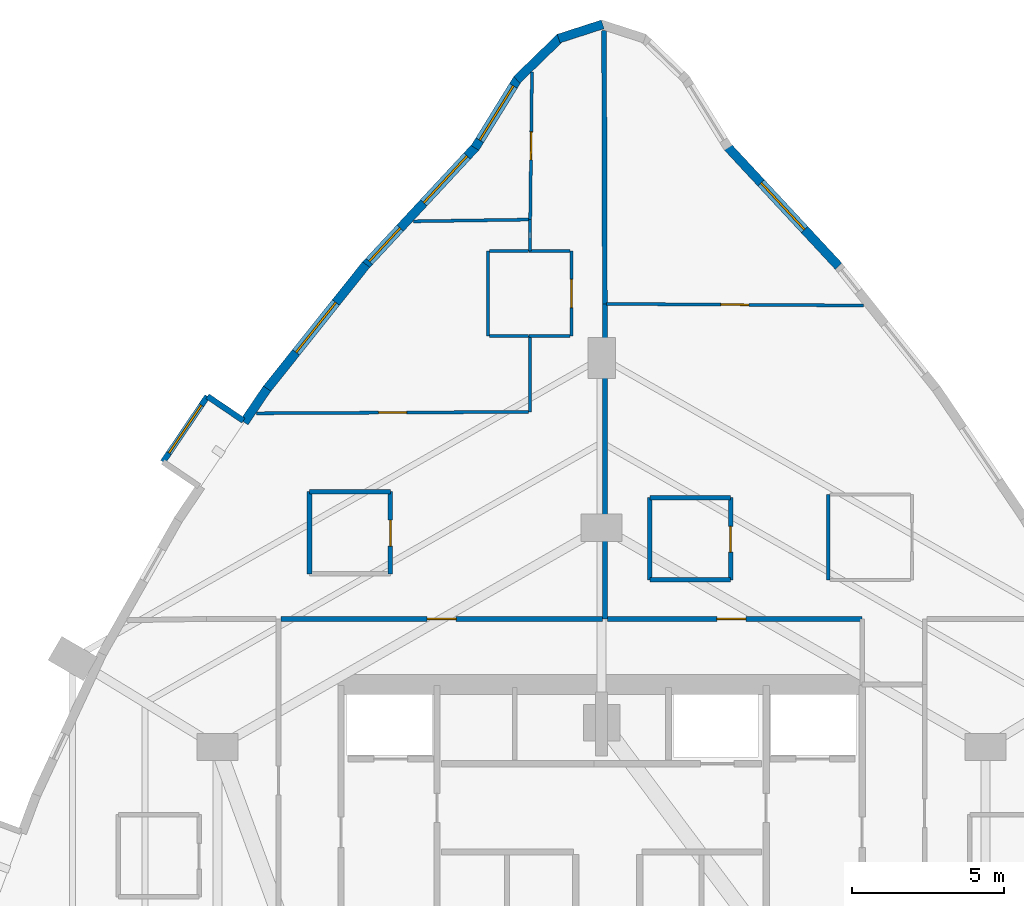
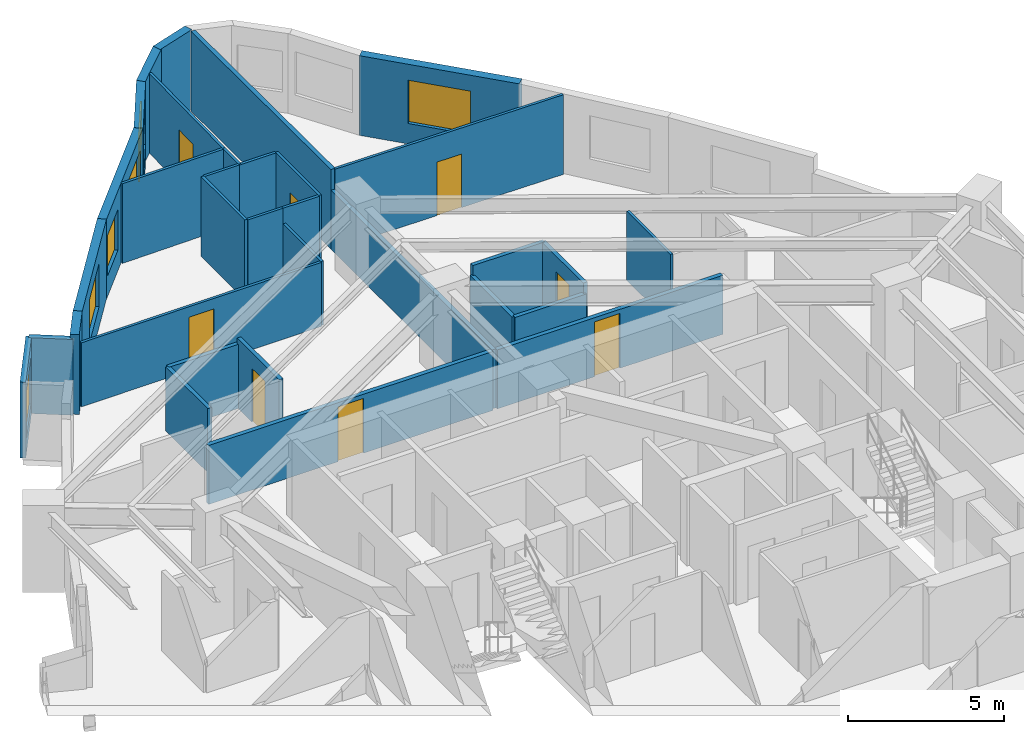
# One storey, part 11 of 13: 33 walls, 8 doors, 6 windows, 14 openings.
"""IFC4 building model written with IfcOpenShell, lengths in metres."""

import ifcopenshell
import ifcopenshell.guid

model = None  # the IFC model being written
_history = None  # IfcOwnerHistory: only IFC2X3 demands one
_inside = {}  # id of a spatial element -> (the spatial element, [elements in it])
_under = {}  # id of a project, library or spatial element -> (it, [spatial elements below it])
_declared = {}  # id of a project -> (the project, [libraries it declares])
_typed = {}  # id of a type object -> (the type object, [elements of that type])
_made_of = {}  # id of a material, layer set ... -> (it, [elements and type objects made of it])


def new_model(schema):
    """Start an empty IFC model of exactly this schema.

    Asked for "IFC4X3", IfcOpenShell would pick the latest addendum, in which some entities
    have other attributes; the version numbers below select the first issue.
    IFC2X3 requires an IfcOwnerHistory on every rooted entity: one is made here for all.
    """
    global model, _history
    if schema == "IFC4X3":
        model = ifcopenshell.file(schema_version=(4, 3, 0, 0))
    else:
        model = ifcopenshell.file(schema=schema)
    _inside.clear()
    _under.clear()
    _declared.clear()
    _typed.clear()
    _made_of.clear()
    _history = None
    if model.schema == "IFC2X3":
        org = make("IfcOrganization", Name="unknown")
        user = make(
            "IfcPersonAndOrganization",
            ThePerson=make("IfcPerson", FamilyName="unknown"),
            TheOrganization=org,
        )
        app = make(
            "IfcApplication",
            ApplicationDeveloper=org,
            Version="unknown",
            ApplicationFullName="unknown",
            ApplicationIdentifier="unknown",
        )
        _history = make(
            "IfcOwnerHistory",
            OwningUser=user,
            OwningApplication=app,
            ChangeAction="ADDED",
            CreationDate=0,
        )
    return model


def make(cls, **values):
    """One entity of the class cls with the attributes given. An attribute that is None is left unset."""
    return model.create_entity(
        cls, **{name: value for name, value in values.items() if value is not None}
    )


def rooted(cls, **values):
    """An entity with a GlobalId (a new one), such as an element, a storey or a relation."""
    return make(cls, GlobalId=ifcopenshell.guid.new(), OwnerHistory=_history, **values)


def si_unit(unit_type, name, prefix=None):
    """IfcSIUnit, for example si_unit("LENGTHUNIT", "METRE", prefix="MILLI")."""
    return make("IfcSIUnit", UnitType=unit_type, Prefix=prefix, Name=name)


def assignment(units):
    """IfcUnitAssignment: the units of a project."""
    return None if units is None else make("IfcUnitAssignment", Units=units)


def point(xyz):
    """IfcCartesianPoint."""
    return None if xyz is None else make("IfcCartesianPoint", Coordinates=xyz)


def direction(xyz):
    """IfcDirection."""
    return None if xyz is None else make("IfcDirection", DirectionRatios=xyz)


def frame(location, z_axis=None, x_axis=None):
    """IfcAxis2Placement3D, a coordinate frame: its origin and axes. An axis left out is left unset."""
    return make(
        "IfcAxis2Placement3D",
        Location=point(location),
        Axis=direction(z_axis),
        RefDirection=direction(x_axis),
    )


def frame_2d(location, x_axis=None):
    """IfcAxis2Placement2D, a coordinate frame in the plane: its origin and x axis."""
    return make(
        "IfcAxis2Placement2D", Location=point(location), RefDirection=direction(x_axis)
    )


def origin():
    """The frame at (0, 0, 0) with its axes left unset."""
    return frame((0.0, 0.0, 0.0))


def place(relative_to, where):
    """IfcLocalPlacement: puts the frame where relative to a parent placement (None: the world)."""
    return make(
        "IfcLocalPlacement", PlacementRelTo=relative_to, RelativePlacement=where
    )


def context(
    kind, dimensions, precision=None, world=None, true_north=None, identifier=None
):
    """IfcGeometricRepresentationContext, for example the 3D "Model" context."""
    return make(
        "IfcGeometricRepresentationContext",
        ContextIdentifier=identifier,
        ContextType=kind,
        CoordinateSpaceDimension=dimensions,
        Precision=precision,
        WorldCoordinateSystem=world,
        TrueNorth=true_north,
    )


def subcontext(parent, identifier, kind, view, scale=None):
    """IfcGeometricRepresentationSubContext, for example "Body" below "Model"."""
    return make(
        "IfcGeometricRepresentationSubContext",
        ContextIdentifier=identifier,
        ContextType=kind,
        ParentContext=parent,
        TargetScale=scale,
        TargetView=view,
    )


def project(units=None, contexts=None):
    """IfcProject with its units and contexts."""
    return rooted(
        "IfcProject",
        Name="project",
        RepresentationContexts=contexts,
        UnitsInContext=assignment(units),
    )


def spatial(cls, under=None, at=None, **own):
    """A site, building, storey or space (cls), placed at a placement, below another one or the project."""
    s = rooted(cls, ObjectPlacement=at, **own)
    if under is not None:
        _under.setdefault(under.id(), (under, []))[1].append(s)
    return s


def profile(cls, at=None, kind="AREA", **sizes):
    """A parametric profile (cls). Its sizes go by their IFC names, for example OverallWidth=200.0."""
    return make(cls, ProfileType=kind, Position=at, **sizes)


def rectangle(**sizes):
    """IfcRectangleProfileDef."""
    return profile("IfcRectangleProfileDef", **sizes)


def extrude(swept, where, along, depth):
    """IfcExtrudedAreaSolid: the profile swept, set in the frame where, extruded along a direction by depth."""
    return make(
        "IfcExtrudedAreaSolid",
        SweptArea=swept,
        Position=where,
        ExtrudedDirection=direction(along),
        Depth=depth,
    )


def shape(context_of_items, identifier, shape_type, items):
    """IfcShapeRepresentation: the items that make up one representation, for example the "Body"."""
    return make(
        "IfcShapeRepresentation",
        ContextOfItems=context_of_items,
        RepresentationIdentifier=identifier,
        RepresentationType=shape_type,
        Items=items,
    )


def material(Name=None, Category=None):
    """IfcMaterial."""
    return make("IfcMaterial", Name=Name, Category=Category)


def layer(
    of_material, thickness, ventilated=None, Name=None, Category=None, Priority=None
):
    """IfcMaterialLayer: one layer of a wall or slab, of a material (None: an air gap)."""
    return make(
        "IfcMaterialLayer",
        Material=of_material,
        LayerThickness=thickness,
        IsVentilated=ventilated,
        Name=Name,
        Category=Category,
        Priority=Priority,
    )


def layer_set(layers, Name=None):
    """IfcMaterialLayerSet."""
    return make("IfcMaterialLayerSet", MaterialLayers=layers, LayerSetName=Name)


def made_of(thing, what):
    """Note that an element or type object is made of a material, layer set ...; save() writes the relation."""
    if what is not None:
        _made_of.setdefault(what.id(), (what, []))[1].append(thing)
    return thing


def type_object(cls, material=None, **own):
    """A type object (cls), such as IfcWallType, which elements share."""
    return made_of(rooted(cls, **own), material)


def element(
    cls,
    number,
    at=None,
    inside=None,
    cuts=None,
    type_object=None,
    material=None,
    context=None,
    identifier="Body",
    shape_type=None,
    held_by="IfcProductDefinitionShape",
    body=None,
    shapes=None,
    **own,
):
    """One element of the class cls, such as IfcWall. Its Tag is "e" and its number.

    at: its placement. inside: the storey or other place that contains it. cuts: it is an
    opening in that element (IfcRelVoidsElement). A single representation is given by context,
    identifier, shape_type and body (its items); several are given by shapes. held_by: the class
    of the entity that holds the representations. save() writes the other relations.
    """
    e = rooted(cls, Tag="e%d" % number, ObjectPlacement=at, **own)
    if body is not None:
        shapes = [shape(context, identifier, shape_type, body)]
    if shapes is not None:
        e.Representation = make(held_by, Representations=shapes)
    if inside is not None:
        _inside.setdefault(inside.id(), (inside, []))[1].append(e)
    if cuts is not None:
        rooted(
            "IfcRelVoidsElement", RelatingBuildingElement=cuts, RelatedOpeningElement=e
        )
    if type_object is not None:
        _typed.setdefault(type_object.id(), (type_object, []))[1].append(e)
    return made_of(e, material)


def fill(opening, filler):
    """IfcRelFillsElement: the door or window that sits in an opening."""
    return rooted(
        "IfcRelFillsElement",
        RelatingOpeningElement=opening,
        RelatedBuildingElement=filler,
    )


def aggregate(whole, parts):
    """IfcRelAggregates: a whole, such as a stair, and the parts it consists of."""
    return rooted("IfcRelAggregates", RelatingObject=whole, RelatedObjects=parts)


def save(model, path):
    """Write the relations noted so far, then the file.

    IfcRelAggregates (storeys below a building ...), IfcRelContainedInSpatialStructure (elements
    in a storey), IfcRelDefinesByType, IfcRelAssociatesMaterial and IfcRelDeclares: one each for
    every whole, place, type object, material and project.
    """
    for whole, parts in _under.values():
        aggregate(whole, parts)
    for where, things in _inside.values():
        rooted(
            "IfcRelContainedInSpatialStructure",
            RelatedElements=things,
            RelatingStructure=where,
        )
    for kind, things in _typed.values():
        rooted("IfcRelDefinesByType", RelatedObjects=things, RelatingType=kind)
    for what, things in _made_of.values():
        rooted("IfcRelAssociatesMaterial", RelatedObjects=things, RelatingMaterial=what)
    for by, libraries in _declared.values():
        rooted("IfcRelDeclares", RelatingContext=by, RelatedDefinitions=libraries)
    model.write(path)


model = new_model("IFC4")

# Units and contexts
model_context = context("Model", 3, precision=1e-05, world=origin(), true_north=direction((0.0, 1.0)))
body_context = subcontext(model_context, "Body", "Model", "MODEL_VIEW")
ifc_project = project(units=[si_unit("LENGTHUNIT", "METRE"), si_unit("AREAUNIT", "SQUARE_METRE"), si_unit("VOLUMEUNIT", "CUBIC_METRE"), si_unit("PLANEANGLEUNIT", "RADIAN"), si_unit("MASSUNIT", "GRAM", prefix="KILO")], contexts=[model_context])

# Site, building, storey
site_placement = place(None, origin())
site = spatial("IfcSite", under=ifc_project, at=site_placement, CompositionType="ELEMENT")
building_placement = place(site_placement, origin())
building = spatial("IfcBuilding", under=site, at=building_placement, Name="Miruveldt Soraemaru", CompositionType="ELEMENT")
storey_placement = place(building_placement, frame((0.0, 0.0, 76.800048828125)))
storey = spatial("IfcBuildingStorey", under=building, at=storey_placement, Name="L21", CompositionType="ELEMENT", Elevation=76.800048828125)

# Wall
ifc_material_1 = material(Name="White powder-coated aluminium EN AW-6060 T6", Category="aluminium")
ifc_layer_1 = layer(ifc_material_1, 0.18994140625, Name="White powder-coated aluminium EN AW-6060 T6", Category="aluminium")
ifc_layer_set_1 = layer_set([ifc_layer_1], Name="White powder-coated aluminium EN AW-6060 T6")
wall_type_1 = type_object("IfcWallType", Name="WALL-BAY-ALU190", PredefinedType="SOLIDWALL", material=ifc_layer_set_1)
wall_1_placement = place(storey_placement, frame((32.243896484375, 61.108154296875, 0.0), z_axis=(0.0, 0.0, 1.0), x_axis=(-0.82794178844, 0.560814046681, 0.0)))
element("IfcWall", 1, at=wall_1_placement, inside=storey, type_object=wall_type_1, Name="L21 Bay Window Side Cheek 1L", PredefinedType="SOLIDWALL", context=body_context, shape_type="SweptSolid", body=[
    extrude(rectangle(XDim=1.4248046875, YDim=0.18994140625, at=frame_2d((0.71240234375, 0.0))), origin(), (0.0, 0.0, 1.0), 2.974853515625),
])

# Wall, opening, window
wall_2_placement = place(storey_placement, frame((31.064208984375, 61.9072265625, 0.0), z_axis=(0.0, 0.0, 1.0), x_axis=(-0.560860602504, -0.827910251512, 0.0)))
wall_2 = element("IfcWall", 2, at=wall_2_placement, inside=storey, type_object=wall_type_1, Name="L21 Bay Window Front Frame 1", PredefinedType="SOLIDWALL", context=body_context, shape_type="SweptSolid", body=[
    extrude(rectangle(XDim=2.60009765625, YDim=0.18994140625, at=frame_2d((1.300048828125, 0.0))), origin(), (0.0, 0.0, 1.0), 2.974853515625),
])
opening_1_placement = place(wall_2_placement, frame((0.35009765625, 0.0, 0.550048828125)))
opening_1 = element("IfcOpeningElement", 3, at=opening_1_placement, cuts=wall_2, Name="Opening WN-6", PredefinedType="OPENING", context=body_context, shape_type="SweptSolid", body=[
    extrude(rectangle(XDim=1.89990234375, YDim=1.85009765625, at=frame_2d((0.949951171875, 0.925048828125))), frame((0.0, 0.10498046875, 0.0), z_axis=(0.0, -1.0, 0.0), x_axis=(1.0, 0.0, 0.0)), (0.0, 0.0, 1.0), 0.2099609375),
])
ifc_material_2 = material(Name="Triple low-e insulated glazing", Category="glass")
window_type_1 = type_object("IfcWindowType", Name="WIN-BAYW-1900x1850", PartitioningType="SINGLE_PANEL", PredefinedType="WINDOW", material=ifc_material_2)
window_1_placement = place(opening_1_placement, origin())
window_1 = element("IfcWindow", 4, at=window_1_placement, inside=storey, type_object=window_type_1, Name="L21 Projecting Bay Window 1", OverallHeight=1.85009765625, OverallWidth=1.89990234375, PartitioningType="SINGLE_PANEL", PredefinedType="WINDOW", context=body_context, shape_type="SweptSolid", body=[
    extrude(rectangle(XDim=1.89990234375, YDim=1.85009765625, at=frame_2d((0.949951171875, 0.925048828125))), frame((0.0, 0.030029296875, 0.0), z_axis=(0.0, -1.0, 0.0), x_axis=(1.0, 0.0, 0.0)), (0.0, 0.0, 1.0), 0.06005859375),
])
fill(opening_1, window_1)

# Walls
ifc_material_3 = material(Name="Precast concrete C45/55 (45 MPa)", Category="concrete")
ifc_layer_2 = layer(ifc_material_3, 0.300048828125, Name="Precast concrete C45/55 (45 MPa)", Category="concrete")
ifc_layer_set_2 = layer_set([ifc_layer_2], Name="Precast concrete C45/55 (45 MPa)")
wall_type_2 = type_object("IfcWallType", Name="WALL-EXT-PC300", PredefinedType="SOLIDWALL", material=ifc_layer_set_2)
wall_3_placement = place(storey_placement, frame((44.033203125, 74.110595703125, 0.0), z_axis=(0.0, 0.0, 1.0), x_axis=(-0.951504003815, -0.307636361186, 0.0)))
element("IfcWall", 5, at=wall_3_placement, inside=storey, type_object=wall_type_2, Name="L21 Precast Concrete Facade Wall 4", PredefinedType="SOLIDWALL", context=body_context, shape_type="SweptSolid", body=[
    extrude(rectangle(XDim=1.519775390625, YDim=0.300048828125, at=frame_2d((0.759765625, 0.0))), origin(), (0.0, 0.0, 1.0), 3.125),
])
wall_4_placement = place(storey_placement, frame((42.6455078125, 73.67822265625, 0.0), z_axis=(0.0, 0.0, 1.0), x_axis=(-0.717750025248, -0.69630086978, 0.0)))
element("IfcWall", 6, at=wall_4_placement, inside=storey, type_object=wall_type_2, Name="L21 Precast Concrete Facade Wall 5", PredefinedType="SOLIDWALL", context=body_context, shape_type="SweptSolid", body=[
    extrude(rectangle(XDim=1.991943359375, YDim=0.300048828125, at=frame_2d((0.99609375, 0.0))), origin(), (0.0, 0.0, 1.0), 3.125),
])

# Wall, opening, window
wall_5_placement = place(storey_placement, frame((41.25927734375, 72.345458984375, 0.0), z_axis=(0.0, 0.0, 1.0), x_axis=(-0.526064242957, -0.850444832004, 0.0)))
wall_5 = element("IfcWall", 7, at=wall_5_placement, inside=storey, type_object=wall_type_2, Name="L21 Precast Concrete Facade Wall 6", PredefinedType="SOLIDWALL", context=body_context, shape_type="SweptSolid", body=[
    extrude(rectangle(XDim=2.692138671875, YDim=0.300048828125, at=frame_2d((1.34619140625, 0.0))), origin(), (0.0, 0.0, 1.0), 3.125),
])
opening_2_placement = place(wall_5_placement, frame((0.2958984375, 0.0, 0.800048828125)))
opening_2 = element("IfcOpeningElement", 8, at=opening_2_placement, cuts=wall_5, Name="Opening WN-1", PredefinedType="OPENING", context=body_context, shape_type="SweptSolid", body=[
    extrude(rectangle(XDim=2.10009765625, YDim=1.699951171875, at=frame_2d((1.050048828125, 0.85009765625))), frame((0.0, 0.16015625, 0.0), z_axis=(0.0, -1.0, 0.0), x_axis=(1.0, 0.0, 0.0)), (0.0, 0.0, 1.0), 0.320068359375),
])
window_type_2 = type_object("IfcWindowType", Name="WIN-PUNCH-2100x1700", PartitioningType="SINGLE_PANEL", PredefinedType="WINDOW", material=ifc_material_2)
window_2_placement = place(opening_2_placement, origin())
window_2 = element("IfcWindow", 9, at=window_2_placement, inside=storey, type_object=window_type_2, Name="L21 Punched Triple-Glazed Window 06.1", OverallHeight=1.699951171875, OverallWidth=2.10009765625, PartitioningType="SINGLE_PANEL", PredefinedType="WINDOW", context=body_context, shape_type="SweptSolid", body=[
    extrude(rectangle(XDim=2.10009765625, YDim=1.699951171875, at=frame_2d((1.050048828125, 0.85009765625))), frame((0.0, 0.030029296875, 0.0), z_axis=(0.0, -1.0, 0.0), x_axis=(1.0, 0.0, 0.0)), (0.0, 0.0, 1.0), 0.06005859375),
])
fill(opening_2, window_2)

# Wall, openings, windows
wall_6_placement = place(storey_placement, frame((39.88525390625, 70.111083984375, 0.0), z_axis=(0.0, 0.0, 1.0), x_axis=(-0.680898855881, -0.732377462829, 0.0)))
wall_6 = element("IfcWall", 10, at=wall_6_placement, inside=storey, type_object=wall_type_2, Name="L21 Precast Concrete Facade Wall 7", PredefinedType="SOLIDWALL", context=body_context, shape_type="SweptSolid", body=[
    extrude(rectangle(XDim=5.373291015625, YDim=0.300048828125, at=frame_2d((2.6865234375, 0.0))), origin(), (0.0, 0.0, 1.0), 3.125),
])
opening_3_placement = place(wall_6_placement, frame((0.43505859375, 0.0, 0.800048828125)))
opening_3 = element("IfcOpeningElement", 11, at=opening_3_placement, cuts=wall_6, Name="Opening WN-1", PredefinedType="OPENING", context=body_context, shape_type="SweptSolid", body=[
    extrude(rectangle(XDim=2.10009765625, YDim=1.699951171875, at=frame_2d((1.050048828125, 0.85009765625))), frame((0.0, 0.16015625, 0.0), z_axis=(0.0, -1.0, 0.0), x_axis=(1.0, 0.0, 0.0)), (0.0, 0.0, 1.0), 0.320068359375),
])
opening_4_placement = place(wall_6_placement, frame((3.662109375, 0.0, 0.800048828125)))
opening_4 = element("IfcOpeningElement", 12, at=opening_4_placement, cuts=wall_6, Name="Opening WN-3", PredefinedType="OPENING", context=body_context, shape_type="SweptSolid", body=[
    extrude(rectangle(XDim=1.5, YDim=1.60009765625, at=frame_2d((0.75, 0.800048828125))), frame((0.0, 0.16015625, 0.0), z_axis=(0.0, -1.0, 0.0), x_axis=(1.0, 0.0, 0.0)), (0.0, 0.0, 1.0), 0.320068359375),
])
window_type_3 = type_object("IfcWindowType", Name="WIN-PUNCH-1500x1600", PartitioningType="SINGLE_PANEL", PredefinedType="WINDOW", material=ifc_material_2)
window_3_placement = place(opening_4_placement, origin())
window_3 = element("IfcWindow", 13, at=window_3_placement, inside=storey, type_object=window_type_3, Name="L21 Punched Triple-Glazed Window 07.2", OverallHeight=1.60009765625, OverallWidth=1.5, PartitioningType="SINGLE_PANEL", PredefinedType="WINDOW", context=body_context, shape_type="SweptSolid", body=[
    extrude(rectangle(XDim=1.5, YDim=1.60009765625, at=frame_2d((0.75, 0.800048828125))), frame((0.0, 0.030029296875, 0.0), z_axis=(0.0, -1.0, 0.0), x_axis=(1.0, 0.0, 0.0)), (0.0, 0.0, 1.0), 0.06005859375),
])
fill(opening_4, window_3)
window_4_placement = place(opening_3_placement, origin())
window_4 = element("IfcWindow", 14, at=window_4_placement, inside=storey, type_object=window_type_2, Name="L21 Punched Triple-Glazed Window 07.1", OverallHeight=1.699951171875, OverallWidth=2.10009765625, PartitioningType="SINGLE_PANEL", PredefinedType="WINDOW", context=body_context, shape_type="SweptSolid", body=[
    extrude(rectangle(XDim=2.10009765625, YDim=1.699951171875, at=frame_2d((1.050048828125, 0.85009765625))), frame((0.0, 0.030029296875, 0.0), z_axis=(0.0, -1.0, 0.0), x_axis=(1.0, 0.0, 0.0)), (0.0, 0.0, 1.0), 0.06005859375),
])
fill(opening_3, window_4)

# Wall, opening, window
wall_7_placement = place(storey_placement, frame((36.272216796875, 66.22900390625, 0.0), z_axis=(0.0, 0.0, 1.0), x_axis=(-0.623600125689, -0.781743489414, 0.0)))
wall_7 = element("IfcWall", 15, at=wall_7_placement, inside=storey, type_object=wall_type_2, Name="L21 Precast Concrete Facade Wall 8", PredefinedType="SOLIDWALL", context=body_context, shape_type="SweptSolid", body=[
    extrude(rectangle(XDim=5.2783203125, YDim=0.300048828125, at=frame_2d((2.63916015625, 0.0))), origin(), (0.0, 0.0, 1.0), 3.125),
])
opening_5_placement = place(wall_7_placement, frame((1.589111328125, 0.0, 0.800048828125)))
opening_5 = element("IfcOpeningElement", 16, at=opening_5_placement, cuts=wall_7, Name="Opening WN-1", PredefinedType="OPENING", context=body_context, shape_type="SweptSolid", body=[
    extrude(rectangle(XDim=2.10009765625, YDim=1.699951171875, at=frame_2d((1.050048828125, 0.85009765625))), frame((0.0, 0.16015625, 0.0), z_axis=(0.0, -1.0, 0.0), x_axis=(1.0, 0.0, 0.0)), (0.0, 0.0, 1.0), 0.320068359375),
])
window_5_placement = place(opening_5_placement, origin())
window_5 = element("IfcWindow", 17, at=window_5_placement, inside=storey, type_object=window_type_2, Name="L21 Punched Triple-Glazed Window 08.1", OverallHeight=1.699951171875, OverallWidth=2.10009765625, PartitioningType="SINGLE_PANEL", PredefinedType="WINDOW", context=body_context, shape_type="SweptSolid", body=[
    extrude(rectangle(XDim=2.10009765625, YDim=1.699951171875, at=frame_2d((1.050048828125, 0.85009765625))), frame((0.0, 0.030029296875, 0.0), z_axis=(0.0, -1.0, 0.0), x_axis=(1.0, 0.0, 0.0)), (0.0, 0.0, 1.0), 0.06005859375),
])
fill(opening_5, window_5)

# Wall
wall_8_placement = place(storey_placement, frame((33.022216796875, 62.1591796875, 0.0), z_axis=(0.0, 0.0, 1.0), x_axis=(-0.56075525003, -0.827981611852, 0.0)))
element("IfcWall", 18, at=wall_8_placement, inside=storey, type_object=wall_type_2, Name="L21 Precast Pier Wall 9A", PredefinedType="SOLIDWALL", context=body_context, shape_type="SweptSolid", body=[
    extrude(rectangle(XDim=1.336669921875, YDim=0.300048828125, at=frame_2d((0.66845703125, 0.0))), origin(), (0.0, 0.0, 1.0), 3.125),
])

# Wall, opening, window
wall_9_placement = place(storey_placement, frame((51.7734375, 66.17578125, 0.0), z_axis=(0.0, 0.0, 1.0), x_axis=(-0.680898855881, 0.732377462829, 0.0)))
wall_9 = element("IfcWall", 19, at=wall_9_placement, inside=storey, type_object=wall_type_2, Name="L21 Precast Concrete Facade Wall 42", PredefinedType="SOLIDWALL", context=body_context, shape_type="SweptSolid", body=[
    extrude(rectangle(XDim=5.373291015625, YDim=0.300048828125, at=frame_2d((2.6865234375, 0.0))), origin(), (0.0, 0.0, 1.0), 3.125),
])
opening_6_placement = place(wall_9_placement, frame((1.635986328125, 0.0, 0.800048828125)))
opening_6 = element("IfcOpeningElement", 20, at=opening_6_placement, cuts=wall_9, Name="Opening WN-1", PredefinedType="OPENING", context=body_context, shape_type="SweptSolid", body=[
    extrude(rectangle(XDim=2.10009765625, YDim=1.699951171875, at=frame_2d((1.050048828125, 0.85009765625))), frame((0.0, 0.16015625, 0.0), z_axis=(0.0, -1.0, 0.0), x_axis=(1.0, 0.0, 0.0)), (0.0, 0.0, 1.0), 0.320068359375),
])
window_6_placement = place(opening_6_placement, origin())
window_6 = element("IfcWindow", 21, at=window_6_placement, inside=storey, type_object=window_type_2, Name="L21 Punched Triple-Glazed Window 42.1", OverallHeight=1.699951171875, OverallWidth=2.10009765625, PartitioningType="SINGLE_PANEL", PredefinedType="WINDOW", context=body_context, shape_type="SweptSolid", body=[
    extrude(rectangle(XDim=2.10009765625, YDim=1.699951171875, at=frame_2d((1.050048828125, 0.85009765625))), frame((0.0, 0.030029296875, 0.0), z_axis=(0.0, -1.0, 0.0), x_axis=(1.0, 0.0, 0.0)), (0.0, 0.0, 1.0), 0.06005859375),
])
fill(opening_6, window_6)

# Wall, opening, door
ifc_material_4 = material(Name="Gypsum plasterboard lining", Category="gypsum")
ifc_layer_3 = layer(ifc_material_4, 0.10009765625, Name="Gypsum plasterboard lining", Category="gypsum")
ifc_layer_set_3 = layer_set([ifc_layer_3], Name="Gypsum plasterboard lining")
wall_type_3 = type_object("IfcWallType", Name="WALL-INT-P100", PredefinedType="PARTITIONING", material=ifc_layer_set_3)
wall_10_placement = place(storey_placement, frame((41.60498046875, 61.39501953125, 0.0), z_axis=(0.0, 0.0, 1.0), x_axis=(-0.999986088483, -0.005274735988, 0.0)))
wall_10 = element("IfcWall", 22, at=wall_10_placement, inside=storey, type_object=wall_type_3, Name="L21 Partition Wall 20", PredefinedType="PARTITIONING", context=body_context, shape_type="SweptSolid", body=[
    extrude(rectangle(XDim=8.93310546875, YDim=0.10009765625, at=frame_2d((4.466552734375, 0.0))), origin(), (0.0, 0.0, 1.0), 2.512939453125),
])
opening_7_placement = place(wall_10_placement, frame((4.007080078125, 0.0, 0.0)))
opening_7 = element("IfcOpeningElement", 23, at=opening_7_placement, cuts=wall_10, Name="Opening D3A", PredefinedType="OPENING", context=body_context, shape_type="SweptSolid", body=[
    extrude(rectangle(XDim=0.919921875, YDim=2.10009765625, at=frame_2d((0.4599609375, 1.050048828125))), frame((0.0, 0.06005859375, 0.0), z_axis=(0.0, -1.0, 0.0), x_axis=(1.0, 0.0, 0.0)), (0.0, 0.0, 1.0), 0.1201171875),
])
ifc_material_5 = material(Name="Anodised aluminium EN AW-6063 T6", Category="aluminium")
door_type_1 = type_object("IfcDoorType", Name="DOOR-INT-920", OperationType="NOTDEFINED", PredefinedType="DOOR", material=ifc_material_5)
door_1_placement = place(opening_7_placement, origin())
door_1 = element("IfcDoor", 24, at=door_1_placement, inside=storey, type_object=door_type_1, Name="L21 Unit 2101 BD1 Door", OperationType="SINGLE_SWING_LEFT", OverallHeight=2.10009765625, OverallWidth=0.919921875, PredefinedType="DOOR", context=body_context, shape_type="SweptSolid", body=[
    extrude(rectangle(XDim=0.919921875, YDim=2.10009765625, at=frame_2d((0.4599609375, 1.050048828125))), frame((0.0, 0.02490234375, 0.0), z_axis=(0.0, -1.0, 0.0), x_axis=(1.0, 0.0, 0.0)), (0.0, 0.0, 1.0), 0.050048828125),
])
fill(opening_7, door_1)

wall_11_placement = place(storey_placement, frame((52.589111328125, 64.885009765625, 0.0), z_axis=(0.0, 0.0, 1.0), x_axis=(-0.99998027209, 0.006281355846, 0.0)))
wall_11 = element("IfcWall", 25, at=wall_11_placement, inside=storey, type_object=wall_type_3, Name="L21 Partition Wall 38", PredefinedType="PARTITIONING", context=body_context, shape_type="SweptSolid", body=[
    extrude(rectangle(XDim=8.434326171875, YDim=0.10009765625, at=frame_2d((4.21728515625, 0.0))), origin(), (0.0, 0.0, 1.0), 3.125),
])
opening_8_placement = place(wall_11_placement, frame((3.757080078125, 0.0, 0.0)))
opening_8 = element("IfcOpeningElement", 26, at=opening_8_placement, cuts=wall_11, Name="Opening D3A", PredefinedType="OPENING", context=body_context, shape_type="SweptSolid", body=[
    extrude(rectangle(XDim=0.919921875, YDim=2.10009765625, at=frame_2d((0.4599609375, 1.050048828125))), frame((0.0, 0.06005859375, 0.0), z_axis=(0.0, -1.0, 0.0), x_axis=(1.0, 0.0, 0.0)), (0.0, 0.0, 1.0), 0.1201171875),
])
door_2_placement = place(opening_8_placement, origin())
door_2 = element("IfcDoor", 27, at=door_2_placement, inside=storey, type_object=door_type_1, Name="L21 Unit CL02 DIN Door", OperationType="SINGLE_SWING_RIGHT", OverallHeight=2.10009765625, OverallWidth=0.919921875, PredefinedType="DOOR", context=body_context, shape_type="SweptSolid", body=[
    extrude(rectangle(XDim=0.919921875, YDim=2.10009765625, at=frame_2d((0.4599609375, 1.050048828125))), frame((0.0, 0.02490234375, 0.0), z_axis=(0.0, -1.0, 0.0), x_axis=(1.0, 0.0, 0.0)), (0.0, 0.0, 1.0), 0.050048828125),
])
fill(opening_8, door_2)

wall_12_placement = place(storey_placement, frame((41.714111328125, 72.544921875, 0.0), z_axis=(0.0, 0.0, 1.0), x_axis=(-0.012206515862, -0.99992549771, 0.0)))
wall_12 = element("IfcWall", 28, at=wall_12_placement, inside=storey, type_object=wall_type_3, Name="L21 Partition Wall 21", PredefinedType="PARTITIONING", context=body_context, shape_type="SweptSolid", body=[
    extrude(rectangle(XDim=4.840087890625, YDim=0.10009765625, at=frame_2d((2.419921875, 0.0))), origin(), (0.0, 0.0, 1.0), 3.125),
])
opening_9_placement = place(wall_12_placement, frame((1.9599609375, 0.0, 0.0)))
opening_9 = element("IfcOpeningElement", 29, at=opening_9_placement, cuts=wall_12, Name="Opening D3A", PredefinedType="OPENING", context=body_context, shape_type="SweptSolid", body=[
    extrude(rectangle(XDim=0.919921875, YDim=2.10009765625, at=frame_2d((0.4599609375, 1.050048828125))), frame((0.0, 0.06005859375, 0.0), z_axis=(0.0, -1.0, 0.0), x_axis=(1.0, 0.0, 0.0)), (0.0, 0.0, 1.0), 0.1201171875),
])
door_3_placement = place(opening_9_placement, origin())
door_3 = element("IfcDoor", 30, at=door_3_placement, inside=storey, type_object=door_type_1, Name="L21 Unit 2101 EXT Door", OperationType="SINGLE_SWING_RIGHT", OverallHeight=2.10009765625, OverallWidth=0.919921875, PredefinedType="DOOR", context=body_context, shape_type="SweptSolid", body=[
    extrude(rectangle(XDim=0.919921875, YDim=2.10009765625, at=frame_2d((0.4599609375, 1.050048828125))), frame((0.0, 0.02490234375, 0.0), z_axis=(0.0, -1.0, 0.0), x_axis=(1.0, 0.0, 0.0)), (0.0, 0.0, 1.0), 0.050048828125),
])
fill(opening_9, door_3)

wall_13_placement = place(storey_placement, frame((43.013916015625, 63.8798828125, 0.0), z_axis=(0.0, 0.0, 1.0), x_axis=(0.0, 1.0, 0.0)))
wall_13 = element("IfcWall", 31, at=wall_13_placement, inside=storey, type_object=wall_type_3, Name="L21 Partition Wall 15", PredefinedType="PARTITIONING", context=body_context, shape_type="SweptSolid", body=[
    extrude(rectangle(XDim=2.800048828125, YDim=0.10009765625, at=frame_2d((1.39990234375, 0.0))), origin(), (0.0, 0.0, 1.0), 3.125),
])
opening_10_placement = place(wall_13_placement, frame((0.93994140625, 0.0, 0.0)))
opening_10 = element("IfcOpeningElement", 32, at=opening_10_placement, cuts=wall_13, Name="Opening D3A", PredefinedType="OPENING", context=body_context, shape_type="SweptSolid", body=[
    extrude(rectangle(XDim=0.919921875, YDim=2.10009765625, at=frame_2d((0.4599609375, 1.050048828125))), frame((0.0, 0.06005859375, 0.0), z_axis=(0.0, -1.0, 0.0), x_axis=(1.0, 0.0, 0.0)), (0.0, 0.0, 1.0), 0.1201171875),
])
door_4_placement = place(opening_10_placement, origin())
door_4 = element("IfcDoor", 33, at=door_4_placement, inside=storey, type_object=door_type_1, Name="L21 Unit 2101 KIT Door", OperationType="SINGLE_SWING_RIGHT", OverallHeight=2.10009765625, OverallWidth=0.919921875, PredefinedType="DOOR", context=body_context, shape_type="SweptSolid", body=[
    extrude(rectangle(XDim=0.919921875, YDim=2.10009765625, at=frame_2d((0.4599609375, 1.050048828125))), frame((0.0, 0.02490234375, 0.0), z_axis=(0.0, -1.0, 0.0), x_axis=(1.0, 0.0, 0.0)), (0.0, 0.0, 1.0), 0.050048828125),
])
fill(opening_10, door_4)

# Walls
wall_14_placement = place(storey_placement, frame((41.60498046875, 67.7041015625, 0.0), z_axis=(0.0, 0.0, 1.0), x_axis=(-0.999886107264, -0.015092133722, 0.0)))
element("IfcWall", 34, at=wall_14_placement, inside=storey, type_object=wall_type_3, Name="L21 Partition Wall 29", PredefinedType="PARTITIONING", context=body_context, shape_type="SweptSolid", body=[
    extrude(rectangle(XDim=3.785400390625, YDim=0.10009765625, at=frame_2d((1.892578125, 0.0))), origin(), (0.0, 0.0, 1.0), 3.125),
])
wall_15_placement = place(storey_placement, frame((40.263916015625, 66.679931640625, 0.0), z_axis=(0.0, 0.0, 1.0), x_axis=(0.0, -1.0, 0.0)))
element("IfcWall", 35, at=wall_15_placement, inside=storey, type_object=wall_type_3, Name="L21 Partition Wall 27", PredefinedType="PARTITIONING", context=body_context, shape_type="SweptSolid", body=[
    extrude(rectangle(XDim=2.800048828125, YDim=0.10009765625, at=frame_2d((1.39990234375, 0.0))), origin(), (0.0, 0.0, 1.0), 3.125),
])
wall_16_placement = place(storey_placement, frame((51.43505859375, 58.681884765625, 0.0), z_axis=(0.0, 0.0, 1.0), x_axis=(0.0, -1.0, 0.0)))
element("IfcWall", 36, at=wall_16_placement, inside=storey, type_object=wall_type_3, Name="L21 Partition Wall 36", PredefinedType="PARTITIONING", context=body_context, shape_type="SweptSolid", body=[
    extrude(rectangle(XDim=2.7998046875, YDim=0.10009765625, at=frame_2d((1.39990234375, 0.0))), origin(), (0.0, 0.0, 1.0), 2.712890625),
])
wall_17_placement = place(storey_placement, frame((41.655029296875, 63.8798828125, 0.0), z_axis=(0.0, 0.0, 1.0), x_axis=(0.0, -1.0, 0.0)))
element("IfcWall", 37, at=wall_17_placement, inside=storey, type_object=wall_type_3, Name="L21 Partition Wall 19", PredefinedType="PARTITIONING", context=body_context, shape_type="SweptSolid", body=[
    extrude(rectangle(XDim=2.48486328125, YDim=0.10009765625, at=frame_2d((1.242431640625, 0.0))), origin(), (0.0, 0.0, 1.0), 2.512939453125),
])
for number, where, z_axis, x_axis, name in (
    (38, (42.964111328125, 66.679931640625, 0.0), (0.0, 0.0, 1.0), (-1.0, 0.0, 0.0), "L21 Partition Wall 16"),
    (39, (41.614990234375, 63.8798828125, 0.0), (0.0, 0.0, 1.0), (1.0, 0.0, 0.0), "L21 Partition Wall 17"),
):
    element("IfcWall", number, at=place(storey_placement, frame(where, z_axis=z_axis, x_axis=x_axis)), inside=storey, type_object=wall_type_3, Name=name, PredefinedType="PARTITIONING", context=body_context, shape_type="SweptSolid", body=[
        extrude(rectangle(XDim=1.34912109375, YDim=0.10009765625, at=frame_2d((0.674560546875, 0.0))), origin(), (0.0, 0.0, 1.0), 3.125),
    ])
for number, where, z_axis, x_axis, name in (
    (40, (41.60498046875, 66.679931640625, 0.0), (0.0, 0.0, 1.0), (-1.0, 0.0, 0.0), "L21 Partition Wall 26"),
    (41, (40.31396484375, 63.8798828125, 0.0), (0.0, 0.0, 1.0), (1.0, 0.0, 0.0), "L21 Partition Wall 28"),
):
    element("IfcWall", number, at=place(storey_placement, frame(where, z_axis=z_axis, x_axis=x_axis)), inside=storey, type_object=wall_type_3, Name=name, PredefinedType="PARTITIONING", context=body_context, shape_type="SweptSolid", body=[
        extrude(rectangle(XDim=1.291015625, YDim=0.10009765625, at=frame_2d((0.6455078125, 0.0))), origin(), (0.0, 0.0, 1.0), 3.125),
    ])
wall_18_placement = place(storey_placement, frame((41.655029296875, 67.705078125, 0.0), z_axis=(0.0, 0.0, 1.0), x_axis=(0.0, -1.0, 0.0)))
element("IfcWall", 42, at=wall_18_placement, inside=storey, type_object=wall_type_3, Name="L21 Partition Wall 18", PredefinedType="PARTITIONING", context=body_context, shape_type="SweptSolid", body=[
    extrude(rectangle(XDim=1.025146484375, YDim=0.10009765625, at=frame_2d((0.5126953125, 0.0))), origin(), (0.0, 0.0, 1.0), 3.125),
])

# Wall, opening, door
ifc_layer_4 = layer(ifc_material_4, 0.14990234375, Name="Gypsum plasterboard lining", Category="gypsum")
ifc_layer_set_4 = layer_set([ifc_layer_4], Name="Gypsum plasterboard lining")
wall_type_4 = type_object("IfcWallType", Name="WALL-INT-PLUMB", PredefinedType="PLUMBINGWALL", material=ifc_layer_set_4)
wall_19_placement = place(storey_placement, frame((37.06396484375, 56.080078125, 0.0), z_axis=(0.0, 0.0, 1.0), x_axis=(0.0, 1.0, 0.0)))
wall_19 = element("IfcWall", 43, at=wall_19_placement, inside=storey, type_object=wall_type_4, Name="L21 Partition Wall 11", PredefinedType="PLUMBINGWALL", context=body_context, shape_type="SweptSolid", body=[
    extrude(rectangle(XDim=2.699951171875, YDim=0.14990234375, at=frame_2d((1.35009765625, 0.0))), origin(), (0.0, 0.0, 1.0), 2.712890625),
])
opening_11_placement = place(wall_19_placement, frame((0.909912109375, 0.0, 0.0)))
opening_11 = element("IfcOpeningElement", 44, at=opening_11_placement, cuts=wall_19, Name="Opening FD3", PredefinedType="OPENING", context=body_context, shape_type="SweptSolid", body=[
    extrude(rectangle(XDim=0.85009765625, YDim=2.10009765625, at=frame_2d((0.425048828125, 1.050048828125))), frame((0.0, 0.0849609375, 0.0), z_axis=(0.0, -1.0, 0.0), x_axis=(1.0, 0.0, 0.0)), (0.0, 0.0, 1.0), 0.169921875),
])
door_type_2 = type_object("IfcDoorType", Name="DOOR-FD3-850", OperationType="NOTDEFINED", PredefinedType="DOOR", material=ifc_material_5)
door_5_placement = place(opening_11_placement, origin())
door_5 = element("IfcDoor", 45, at=door_5_placement, inside=storey, type_object=door_type_2, Name="L21 Unit 2101 BTH Door", OperationType="SINGLE_SWING_LEFT", OverallHeight=2.10009765625, OverallWidth=0.85009765625, PredefinedType="DOOR", context=body_context, shape_type="SweptSolid", body=[
    extrude(rectangle(XDim=0.85009765625, YDim=2.10009765625, at=frame_2d((0.425048828125, 1.050048828125))), frame((0.0, 0.02490234375, 0.0), z_axis=(0.0, -1.0, 0.0), x_axis=(1.0, 0.0, 0.0)), (0.0, 0.0, 1.0), 0.050048828125),
])
fill(opening_11, door_5)

wall_20_placement = place(storey_placement, frame((48.235107421875, 55.882080078125, 0.0), z_axis=(0.0, 0.0, 1.0), x_axis=(0.0, 1.0, 0.0)))
wall_20 = element("IfcWall", 46, at=wall_20_placement, inside=storey, type_object=wall_type_4, Name="L21 Partition Wall 30", PredefinedType="PLUMBINGWALL", context=body_context, shape_type="SweptSolid", body=[
    extrude(rectangle(XDim=2.699951171875, YDim=0.14990234375, at=frame_2d((1.35009765625, 0.0))), origin(), (0.0, 0.0, 1.0), 2.712890625),
])
opening_12_placement = place(wall_20_placement, frame((0.909912109375, 0.0, 0.0)))
opening_12 = element("IfcOpeningElement", 47, at=opening_12_placement, cuts=wall_20, Name="Opening FD3", PredefinedType="OPENING", context=body_context, shape_type="SweptSolid", body=[
    extrude(rectangle(XDim=0.85009765625, YDim=2.10009765625, at=frame_2d((0.425048828125, 1.050048828125))), frame((0.0, 0.0849609375, 0.0), z_axis=(0.0, -1.0, 0.0), x_axis=(1.0, 0.0, 0.0)), (0.0, 0.0, 1.0), 0.169921875),
])
door_6_placement = place(opening_12_placement, origin())
door_6 = element("IfcDoor", 48, at=door_6_placement, inside=storey, type_object=door_type_2, Name="L21 Unit CL02 BTH Door", OperationType="SINGLE_SWING_RIGHT", OverallHeight=2.10009765625, OverallWidth=0.85009765625, PredefinedType="DOOR", context=body_context, shape_type="SweptSolid", body=[
    extrude(rectangle(XDim=0.85009765625, YDim=2.10009765625, at=frame_2d((0.425048828125, 1.050048828125))), frame((0.0, 0.02490234375, 0.0), z_axis=(0.0, -1.0, 0.0), x_axis=(1.0, 0.0, 0.0)), (0.0, 0.0, 1.0), 0.050048828125),
])
fill(opening_12, door_6)

# Walls
wall_21_placement = place(storey_placement, frame((34.4140625, 58.780029296875, 0.0), z_axis=(0.0, 0.0, 1.0), x_axis=(0.0, -1.0, 0.0)))
element("IfcWall", 49, at=wall_21_placement, inside=storey, type_object=wall_type_4, Name="L21 Partition Wall 13", PredefinedType="PLUMBINGWALL", context=body_context, shape_type="SweptSolid", body=[
    extrude(rectangle(XDim=2.699951171875, YDim=0.14990234375, at=frame_2d((1.35009765625, 0.0))), origin(), (0.0, 0.0, 1.0), 2.512939453125),
])
wall_22_placement = place(storey_placement, frame((45.5849609375, 58.58203125, 0.0), z_axis=(0.0, 0.0, 1.0), x_axis=(0.0, -1.0, 0.0)))
element("IfcWall", 50, at=wall_22_placement, inside=storey, type_object=wall_type_4, Name="L21 Partition Wall 32", PredefinedType="PLUMBINGWALL", context=body_context, shape_type="SweptSolid", body=[
    extrude(rectangle(XDim=2.699951171875, YDim=0.14990234375, at=frame_2d((1.35009765625, 0.0))), origin(), (0.0, 0.0, 1.0), 2.31298828125),
])
wall_23_placement = place(storey_placement, frame((37.06396484375, 58.780029296875, 0.0), z_axis=(0.0, 0.0, 1.0), x_axis=(-1.0, 0.0, 0.0)))
element("IfcWall", 51, at=wall_23_placement, inside=storey, type_object=wall_type_4, Name="L21 Partition Wall 12", PredefinedType="PLUMBINGWALL", context=body_context, shape_type="SweptSolid", body=[
    extrude(rectangle(XDim=2.64990234375, YDim=0.14990234375, at=frame_2d((1.324951171875, 0.0))), origin(), (0.0, 0.0, 1.0), 2.512939453125),
])
wall_24_placement = place(storey_placement, frame((48.235107421875, 58.58203125, 0.0), z_axis=(0.0, 0.0, 1.0), x_axis=(-1.0, 0.0, 0.0)))
element("IfcWall", 52, at=wall_24_placement, inside=storey, type_object=wall_type_4, Name="L21 Partition Wall 31", PredefinedType="PLUMBINGWALL", context=body_context, shape_type="SweptSolid", body=[
    extrude(rectangle(XDim=2.650146484375, YDim=0.14990234375, at=frame_2d((1.3251953125, 0.0))), origin(), (0.0, 0.0, 1.0), 2.712890625),
])
wall_25_placement = place(storey_placement, frame((45.5849609375, 55.882080078125, 0.0), z_axis=(0.0, 0.0, 1.0), x_axis=(1.0, 0.0, 0.0)))
element("IfcWall", 53, at=wall_25_placement, inside=storey, type_object=wall_type_4, Name="L21 Partition Wall 33", PredefinedType="PLUMBINGWALL", context=body_context, shape_type="SweptSolid", body=[
    extrude(rectangle(XDim=2.650146484375, YDim=0.14990234375, at=frame_2d((1.3251953125, 0.0))), origin(), (0.0, 0.0, 1.0), 2.31298828125),
])

# Wall, opening, door
ifc_material_6 = material(Name="Concrete C40/50 (40 MPa)", Category="concrete")
ifc_layer_5 = layer(ifc_material_6, 0.159912109375, Name="Concrete C40/50 (40 MPa)", Category="concrete")
ifc_layer_set_5 = layer_set([ifc_layer_5], Name="Concrete C40/50 (40 MPa)")
wall_type_5 = type_object("IfcWallType", Name="WALL-INT-RC160", PredefinedType="SOLIDWALL", material=ifc_layer_set_5)
wall_26_placement = place(storey_placement, frame((44.02490234375, 54.60009765625, 0.0), z_axis=(0.0, 0.0, 1.0), x_axis=(-1.0, 0.0, 0.0)))
wall_26 = element("IfcWall", 54, at=wall_26_placement, inside=storey, type_object=wall_type_5, Name="L21 Partition Wall 1", PredefinedType="SOLIDWALL", context=body_context, shape_type="SweptSolid", body=[
    extrude(rectangle(XDim=10.544921875, YDim=0.159912109375, at=frame_2d((5.2724609375, 0.0))), origin(), (0.0, 0.0, 1.0), 2.31298828125),
])
opening_13_placement = place(wall_26_placement, frame((4.798095703125, 0.0, 0.0)))
opening_13 = element("IfcOpeningElement", 55, at=opening_13_placement, cuts=wall_26, Name="Opening FD2", PredefinedType="OPENING", context=body_context, shape_type="SweptSolid", body=[
    extrude(rectangle(XDim=0.949951171875, YDim=2.14990234375, at=frame_2d((0.47509765625, 1.074951171875))), frame((0.0, 0.08984375, 0.0), z_axis=(0.0, -1.0, 0.0), x_axis=(1.0, 0.0, 0.0)), (0.0, 0.0, 1.0), 0.179931640625),
])
door_type_3 = type_object("IfcDoorType", Name="DOOR-FD2-950", OperationType="NOTDEFINED", PredefinedType="DOOR", material=ifc_material_5)
door_7_placement = place(opening_13_placement, origin())
door_7 = element("IfcDoor", 56, at=door_7_placement, inside=storey, type_object=door_type_3, Name="L21 Unit 2101 Entrance Fire Door", OperationType="SINGLE_SWING_RIGHT", OverallHeight=2.14990234375, OverallWidth=0.949951171875, PredefinedType="DOOR", context=body_context, shape_type="SweptSolid", body=[
    extrude(rectangle(XDim=0.949951171875, YDim=2.14990234375, at=frame_2d((0.47509765625, 1.074951171875))), frame((0.0, 0.02490234375, 0.0), z_axis=(0.0, -1.0, 0.0), x_axis=(1.0, 0.0, 0.0)), (0.0, 0.0, 1.0), 0.050048828125),
])
fill(opening_13, door_7)

wall_27_placement = place(storey_placement, frame((52.550048828125, 54.60009765625, 0.0), z_axis=(0.0, 0.0, 1.0), x_axis=(-1.0, 0.0, 0.0)))
wall_27 = element("IfcWall", 57, at=wall_27_placement, inside=storey, type_object=wall_type_5, Name="L21 Partition Wall 4", PredefinedType="SOLIDWALL", context=body_context, shape_type="SweptSolid", body=[
    extrude(rectangle(XDim=8.364990234375, YDim=0.159912109375, at=frame_2d((4.1826171875, 0.0))), origin(), (0.0, 0.0, 1.0), 2.31298828125),
])
opening_14_placement = place(wall_27_placement, frame((3.81689453125, 0.0, 0.0)))
opening_14 = element("IfcOpeningElement", 58, at=opening_14_placement, cuts=wall_27, Name="Opening FD2", PredefinedType="OPENING", context=body_context, shape_type="SweptSolid", body=[
    extrude(rectangle(XDim=0.949951171875, YDim=2.14990234375, at=frame_2d((0.47509765625, 1.074951171875))), frame((0.0, 0.08984375, 0.0), z_axis=(0.0, -1.0, 0.0), x_axis=(1.0, 0.0, 0.0)), (0.0, 0.0, 1.0), 0.179931640625),
])
door_8_placement = place(opening_14_placement, origin())
door_8 = element("IfcDoor", 59, at=door_8_placement, inside=storey, type_object=door_type_3, Name="L21 Unit CL02 Entrance Fire Door", OperationType="SINGLE_SWING_LEFT", OverallHeight=2.14990234375, OverallWidth=0.949951171875, PredefinedType="DOOR", context=body_context, shape_type="SweptSolid", body=[
    extrude(rectangle(XDim=0.949951171875, YDim=2.14990234375, at=frame_2d((0.47509765625, 1.074951171875))), frame((0.0, 0.02490234375, 0.0), z_axis=(0.0, -1.0, 0.0), x_axis=(1.0, 0.0, 0.0)), (0.0, 0.0, 1.0), 0.050048828125),
])
fill(opening_14, door_8)

# Walls
wall_28_placement = place(storey_placement, frame((44.10498046875, 54.60009765625, 0.0), z_axis=(0.0, 0.0, 1.0), x_axis=(0.0, 1.0, 0.0)))
element("IfcWall", 60, at=wall_28_placement, inside=storey, type_object=wall_type_5, Name="L21 Partition Wall 22", PredefinedType="SOLIDWALL", context=body_context, shape_type="SweptSolid", body=[
    extrude(rectangle(XDim=10.337890625, YDim=0.159912109375, at=frame_2d((5.1689453125, 0.0))), origin(), (0.0, 0.0, 1.0), 2.31298828125),
])
wall_29_placement = place(storey_placement, frame((44.10498046875, 64.93798828125, 0.0), z_axis=(0.0, 0.0, 1.0), x_axis=(-0.002887327254, 0.999995831662, 0.0)))
element("IfcWall", 61, at=wall_29_placement, inside=storey, type_object=wall_type_5, Name="L21 Partition Wall 23", PredefinedType="SOLIDWALL", context=body_context, shape_type="SweptSolid", body=[
    extrude(rectangle(XDim=8.962890625, YDim=0.159912109375, at=frame_2d((4.4814453125, 0.0))), origin(), (0.0, 0.0, 1.0), 3.125),
])

save(model, "model.ifc")
